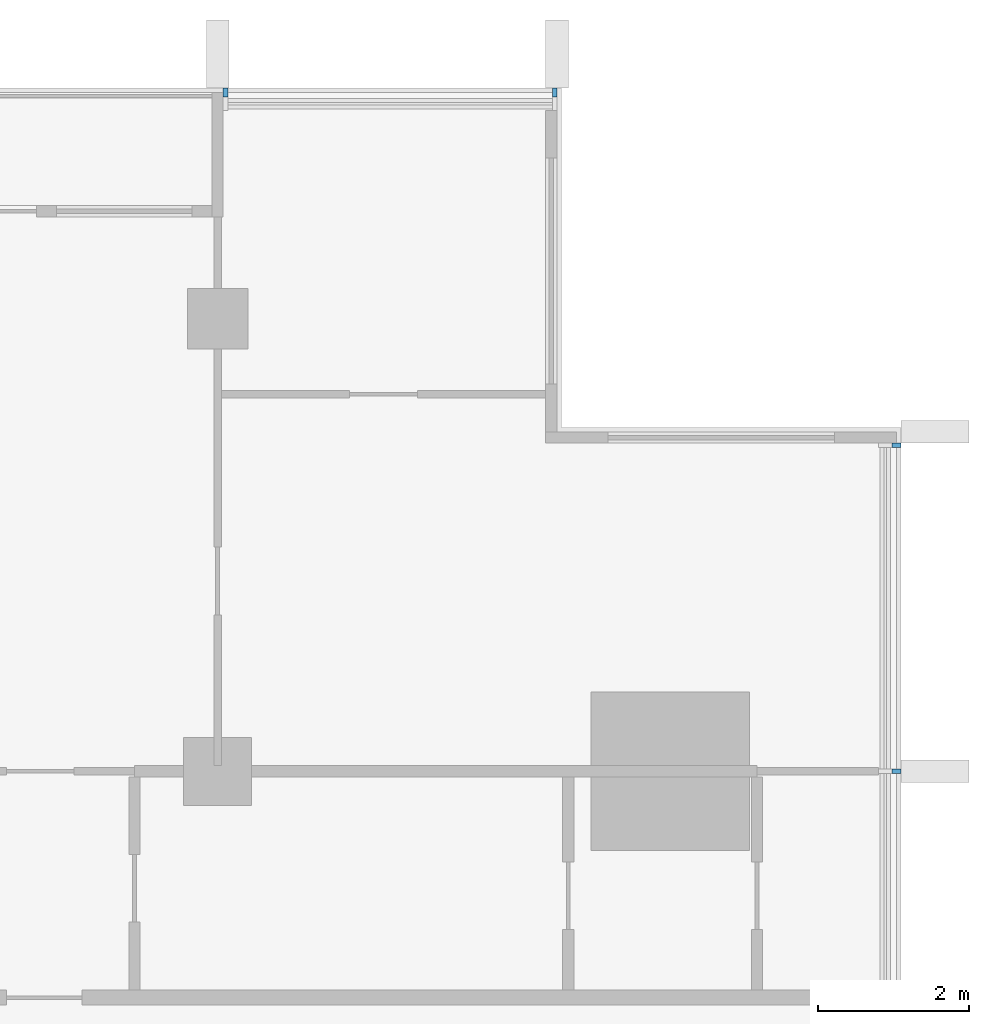
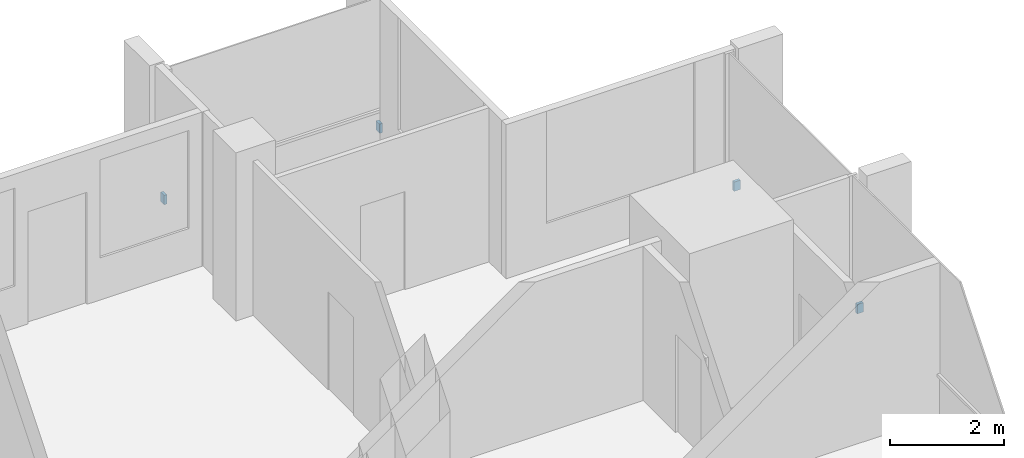
# One storey, part 15 of 16: 4 discrete accessories.
"""IFC4 building model written with IfcOpenShell, lengths in metres."""

from ifc_helpers import new_model, si_unit, direction, frame, origin, origin_2d, place, context, subcontext, project, spatial, rectangle, extrude, material, type_object, element, save


model = new_model("IFC4")

# Units and contexts
model_context = context("Model", 3, precision=1e-05, world=origin(), true_north=direction((0.0, 1.0)))
body_context = subcontext(model_context, "Body", "Model", "MODEL_VIEW")
ifc_project = project(units=[si_unit("LENGTHUNIT", "METRE"), si_unit("AREAUNIT", "SQUARE_METRE"), si_unit("VOLUMEUNIT", "CUBIC_METRE"), si_unit("PLANEANGLEUNIT", "RADIAN"), si_unit("MASSUNIT", "GRAM", prefix="KILO")], contexts=[model_context])

# Site, building, storey
site_placement = place(None, origin())
site = spatial("IfcSite", under=ifc_project, at=site_placement, CompositionType="ELEMENT")
building_placement = place(site_placement, origin())
building = spatial("IfcBuilding", under=site, at=building_placement, Name="Finial Court Residences", CompositionType="ELEMENT")
storey_placement = place(building_placement, frame((0.0, 0.0, 219.5)))
storey = spatial("IfcBuildingStorey", under=building, at=storey_placement, Name="L55", CompositionType="ELEMENT", Elevation=219.5)

# Discrete accessories
ifc_material = material(Name="Stainless steel 316", Category="steel")
discrete_accessory_type = type_object("IfcDiscreteAccessoryType", Name="Fin bracket, stainless steel 60 x 122 x 200", PredefinedType="BRACKET", material=ifc_material)
for number, where, z_axis, x_axis, name in (
    (1, (10.60498046875, 16.498779296875, 0.2998046875), (0.0, 0.0, 1.0), (1.0, 0.0, 0.0), "E-L55-FIN-N5-BRK"),
    (2, (14.969970703125, 16.498779296875, 0.2998046875), (0.0, 0.0, 1.0), (1.0, 0.0, 0.0), "E-L55-FIN-N6-BRK"),
):
    element("IfcDiscreteAccessory", number, at=place(storey_placement, frame(where, z_axis=z_axis, x_axis=x_axis)), inside=storey, type_object=discrete_accessory_type, Name=name, PredefinedType="BRACKET", context=body_context, shape_type="SweptSolid", body=[
        extrude(rectangle(XDim=0.06005859375, YDim=0.12255859375, at=origin_2d()), origin(), (0.0, 0.0, 1.0), 0.199951171875),
    ])
for number, where, z_axis, x_axis, name in (
    (3, (19.498779296875, 7.5, 0.2998046875), (0.0, 0.0, 1.0), (1.0, 0.0, 0.0), "E-L55-FIN-E11-BRK"),
    (4, (19.498779296875, 11.820068359375, 0.2998046875), (0.0, 0.0, 1.0), (1.0, 0.0, 0.0), "E-L55-FIN-E12-BRK"),
):
    element("IfcDiscreteAccessory", number, at=place(storey_placement, frame(where, z_axis=z_axis, x_axis=x_axis)), inside=storey, type_object=discrete_accessory_type, Name=name, PredefinedType="BRACKET", context=body_context, shape_type="SweptSolid", body=[
        extrude(rectangle(XDim=0.12255859375, YDim=0.06005859375, at=origin_2d()), origin(), (0.0, 0.0, 1.0), 0.199951171875),
    ])

save(model, "model.ifc")
